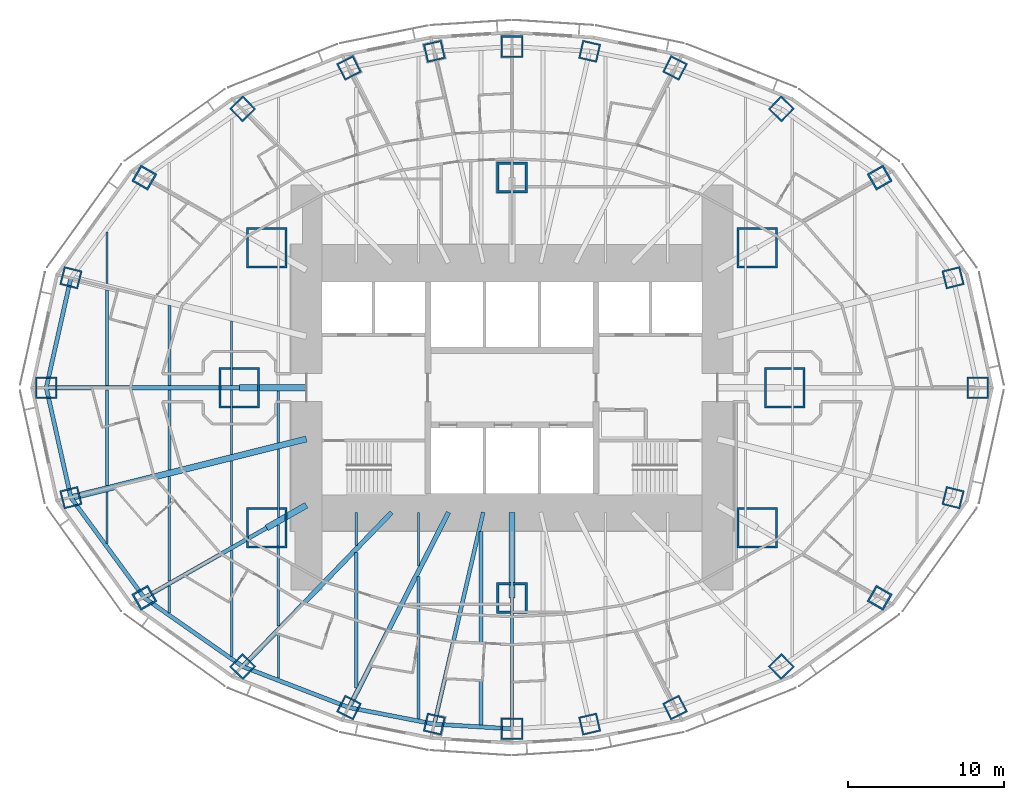
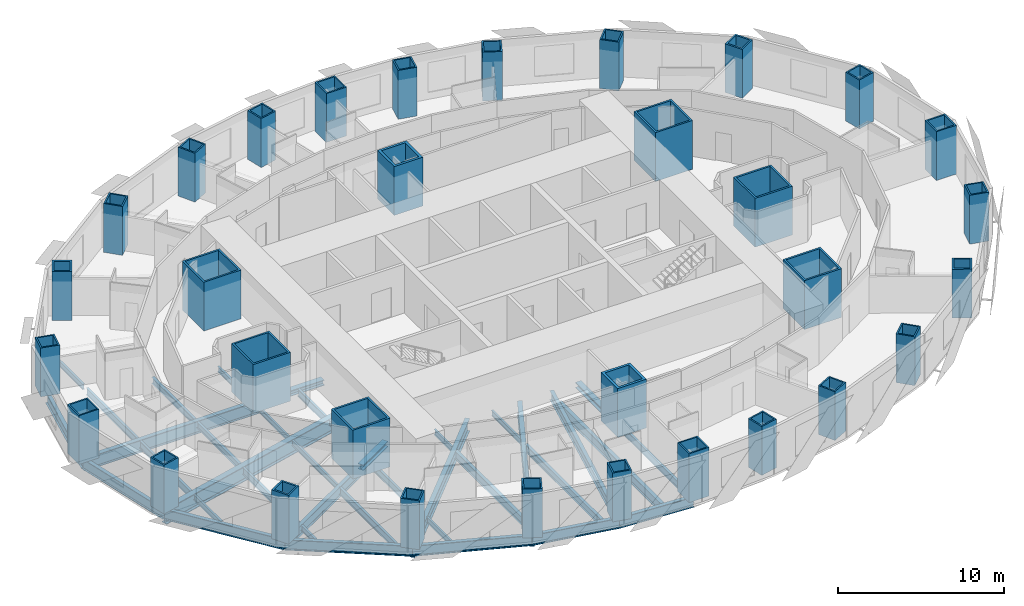
# One storey, part 1 of 15: 38 beams, 32 columns.
"""IFC4 building model written with IfcOpenShell, lengths in metres."""

from ifc_helpers import new_model, si_unit, direction, frame, origin, origin_2d, place, context, subcontext, project, spatial, rectangle, hollow_rectangle, i_section, extrude, material, material_profile, profile_set, type_object, element, save


model = new_model("IFC4")

# Units and contexts
model_context = context("Model", 3, precision=1e-05, world=origin(), true_north=direction((0.0, 1.0)))
body_context = subcontext(model_context, "Body", "Model", "MODEL_VIEW")
ifc_project = project(units=[si_unit("LENGTHUNIT", "METRE"), si_unit("AREAUNIT", "SQUARE_METRE"), si_unit("VOLUMEUNIT", "CUBIC_METRE"), si_unit("PLANEANGLEUNIT", "RADIAN"), si_unit("MASSUNIT", "GRAM", prefix="KILO")], contexts=[model_context])

# Site, building, storey
site_placement = place(None, origin())
site = spatial("IfcSite", under=ifc_project, at=site_placement, CompositionType="ELEMENT")
building_placement = place(site_placement, origin())
building = spatial("IfcBuilding", under=site, at=building_placement, Name="Lantaw Convention Tower", CompositionType="ELEMENT")
storey_placement = place(building_placement, frame((0.0, 0.0, 58.60009765625)))
storey = spatial("IfcBuildingStorey", under=building, at=storey_placement, Name="L12", CompositionType="ELEMENT", Elevation=58.60009765625)

# Columns
ifc_material_1 = material(Name="Steel EN 10025-3 S460N", Category="steel")
ifc_material_profile_1 = material_profile(ifc_material_1, hollow_rectangle(XDim=2.0, YDim=2.0, WallThickness=0.169921875, at=origin_2d()), Name="BOX2000X170")
ifc_material_2 = material(Name="Concrete C60/75", Category="concrete")
ifc_material_profile_2 = material_profile(ifc_material_2, rectangle(XDim=1.659912109375, YDim=1.659912109375, at=origin_2d()), Name="Concrete fill of BOX2000X170")
ifc_profile_set_1 = profile_set([ifc_material_profile_1, ifc_material_profile_2], Name="Steel EN 10025-3 S460N")
column_type_1 = type_object("IfcColumnType", Name="Column MC BOX2000X170", PredefinedType="COLUMN", material=ifc_profile_set_1)
for number, where, z_axis, x_axis, name in (
    (1, (0.0, 13.5, 0.0), (0.0, 0.0, 1.0), (1.0, 0.0, 0.0), "Mega column M3"),
    (2, (0.0, -13.5, 0.0), (0.0, 0.0, 1.0), (1.0, 0.0, 0.0), "Mega column M7"),
):
    element("IfcColumn", number, at=place(storey_placement, frame(where, z_axis=z_axis, x_axis=x_axis)), inside=storey, type_object=column_type_1, Name=name, PredefinedType="COLUMN", context=body_context, shape_type="SweptSolid", body=[
        extrude(hollow_rectangle(XDim=2.0, YDim=2.0, WallThickness=0.169921875, at=origin_2d()), origin(), (0.0, 0.0, 1.0), 3.599853515625),
    ])
ifc_material_profile_3 = material_profile(ifc_material_1, hollow_rectangle(XDim=2.60009765625, YDim=2.60009765625, WallThickness=0.1298828125, at=origin_2d()), Name="BOX2600X130")
ifc_material_profile_4 = material_profile(ifc_material_2, rectangle(XDim=2.340087890625, YDim=2.340087890625, at=origin_2d()), Name="Concrete fill of BOX2600X130")
ifc_profile_set_2 = profile_set([ifc_material_profile_3, ifc_material_profile_4], Name="Steel EN 10025-3 S460N")
column_type_2 = type_object("IfcColumnType", Name="Column MC BOX2600X130", PredefinedType="COLUMN", material=ifc_profile_set_2)
for number, where, z_axis, x_axis, name in (
    (3, (17.5, 0.0, 0.0), (0.0, 0.0, 1.0), (1.0, 0.0, 0.0), "Mega column M1"),
    (4, (15.75, 9.0, 0.0), (0.0, 0.0, 1.0), (1.0, 0.0, 0.0), "Mega column M2"),
    (5, (-15.75, 9.0, 0.0), (0.0, 0.0, 1.0), (1.0, 0.0, 0.0), "Mega column M4"),
    (6, (-17.5, 0.0, 0.0), (0.0, 0.0, 1.0), (1.0, 0.0, 0.0), "Mega column M5"),
    (7, (-15.75, -9.0, 0.0), (0.0, 0.0, 1.0), (1.0, 0.0, 0.0), "Mega column M6"),
    (8, (15.75, -9.0, 0.0), (0.0, 0.0, 1.0), (1.0, 0.0, 0.0), "Mega column M8"),
):
    element("IfcColumn", number, at=place(storey_placement, frame(where, z_axis=z_axis, x_axis=x_axis)), inside=storey, type_object=column_type_2, Name=name, PredefinedType="COLUMN", context=body_context, shape_type="SweptSolid", body=[
        extrude(hollow_rectangle(XDim=2.60009765625, YDim=2.60009765625, WallThickness=0.1298828125, at=origin_2d()), origin(), (0.0, 0.0, 1.0), 3.599853515625),
    ])
ifc_material_profile_5 = material_profile(ifc_material_1, hollow_rectangle(XDim=1.199951171875, YDim=1.199951171875, WallThickness=0.10009765625, at=origin_2d()), Name="BOX1200X100")
ifc_material_profile_6 = material_profile(ifc_material_2, rectangle(XDim=1.0, YDim=1.0, at=origin_2d()), Name="Concrete fill of BOX1200X100")
ifc_profile_set_3 = profile_set([ifc_material_profile_5, ifc_material_profile_6], Name="Steel EN 10025-3 S460N")
column_type_3 = type_object("IfcColumnType", Name="Column PC BOX1200X100", PredefinedType="COLUMN", material=ifc_profile_set_3)
for number, where, z_axis, x_axis, name in (
    (9, (28.31787109375, 7.060302734375, 0.0), (0.0, 0.0, 1.0), (0.970295726276, 0.2419218956, 0.0), "Perimeter column P2"),
    (10, (17.290771484375, 17.9052734375, 0.0), (0.0, 0.0, 1.0), (0.694658370459, 0.719339800339, 0.0), "Perimeter column P4"),
    (11, (10.462646484375, 20.533935546875, 0.0), (0.0, 0.0, 1.0), (0.45399049974, 0.891006524188, 0.0), "Perimeter column P5"),
    (12, (4.986328125, 21.59814453125, 0.0), (0.0, 0.0, 1.0), (0.224951054344, 0.974370064785, 0.0), "Perimeter column P6"),
    (13, (-4.986328125, 21.59814453125, 0.0), (0.0, 0.0, 1.0), (0.974370064785, 0.224951054344, 0.0), "Perimeter column P8"),
    (14, (-10.462646484375, 20.533935546875, 0.0), (0.0, 0.0, 1.0), (0.891006524188, 0.45399049974, 0.0), "Perimeter column P9"),
    (15, (-17.290771484375, 17.9052734375, 0.0), (0.0, 0.0, 1.0), (0.719339800339, 0.694658370459, 0.0), "Perimeter column P10"),
    (16, (-28.31787109375, 7.060302734375, 0.0), (0.0, 0.0, 1.0), (0.2419218956, 0.970295726276, 0.0), "Perimeter column P12"),
    (17, (-28.31787109375, -7.060302734375, 0.0), (0.0, 0.0, 1.0), (0.970295726276, 0.2419218956, 0.0), "Perimeter column P14"),
    (18, (-17.290771484375, -17.9052734375, 0.0), (0.0, 0.0, 1.0), (0.694658370459, 0.719339800339, 0.0), "Perimeter column P16"),
    (19, (-10.462646484375, -20.533935546875, 0.0), (0.0, 0.0, 1.0), (0.45399049974, 0.891006524188, 0.0), "Perimeter column P17"),
    (20, (-4.986328125, -21.59814453125, 0.0), (0.0, 0.0, 1.0), (0.224951054344, 0.974370064785, 0.0), "Perimeter column P18"),
    (21, (4.986328125, -21.59814453125, 0.0), (0.0, 0.0, 1.0), (0.974370064785, 0.224951054344, 0.0), "Perimeter column P20"),
    (22, (10.462646484375, -20.533935546875, 0.0), (0.0, 0.0, 1.0), (0.891006524188, 0.45399049974, 0.0), "Perimeter column P21"),
    (23, (17.290771484375, -17.9052734375, 0.0), (0.0, 0.0, 1.0), (0.719339800339, 0.694658370459, 0.0), "Perimeter column P22"),
    (24, (28.31787109375, -7.060302734375, 0.0), (0.0, 0.0, 1.0), (0.2419218956, 0.970295726276, 0.0), "Perimeter column P24"),
):
    element("IfcColumn", number, at=place(storey_placement, frame(where, z_axis=z_axis, x_axis=x_axis)), inside=storey, type_object=column_type_3, Name=name, PredefinedType="COLUMN", context=body_context, shape_type="SweptSolid", body=[
        extrude(hollow_rectangle(XDim=1.199951171875, YDim=1.199951171875, WallThickness=0.10009765625, at=origin_2d()), origin(), (0.0, 0.0, 1.0), 3.599853515625),
    ])
ifc_material_profile_7 = material_profile(ifc_material_1, hollow_rectangle(XDim=1.199951171875, YDim=1.199951171875, WallThickness=0.1201171875, at=origin_2d()), Name="BOX1200X120")
ifc_material_profile_8 = material_profile(ifc_material_2, rectangle(XDim=0.9599609375, YDim=0.9599609375, at=origin_2d()), Name="Concrete fill of BOX1200X120")
ifc_profile_set_4 = profile_set([ifc_material_profile_7, ifc_material_profile_8], Name="Steel EN 10025-3 S460N")
column_type_4 = type_object("IfcColumnType", Name="Column PC BOX1200X120", PredefinedType="COLUMN", material=ifc_profile_set_4)
for number, where, z_axis, x_axis, name in (
    (25, (23.60498046875, 13.488525390625, 0.0), (0.0, 0.0, 1.0), (0.86824298017, 0.496139221777, 0.0), "Perimeter column P3"),
    (26, (-23.60498046875, 13.488525390625, 0.0), (0.0, 0.0, 1.0), (0.496139221777, 0.86824298017, 0.0), "Perimeter column P11"),
    (27, (-23.60498046875, -13.488525390625, 0.0), (0.0, 0.0, 1.0), (0.86824298017, 0.496139221777, 0.0), "Perimeter column P15"),
    (28, (23.60498046875, -13.488525390625, 0.0), (0.0, 0.0, 1.0), (0.496139221777, 0.86824298017, 0.0), "Perimeter column P23"),
):
    element("IfcColumn", number, at=place(storey_placement, frame(where, z_axis=z_axis, x_axis=x_axis)), inside=storey, type_object=column_type_4, Name=name, PredefinedType="COLUMN", context=body_context, shape_type="SweptSolid", body=[
        extrude(hollow_rectangle(XDim=1.199951171875, YDim=1.199951171875, WallThickness=0.1201171875, at=origin_2d()), origin(), (0.0, 0.0, 1.0), 3.599853515625),
    ])
ifc_material_profile_9 = material_profile(ifc_material_1, hollow_rectangle(XDim=1.39990234375, YDim=1.39990234375, WallThickness=0.10009765625, at=origin_2d()), Name="BOX1400X100")
ifc_material_profile_10 = material_profile(ifc_material_2, rectangle(XDim=1.199951171875, YDim=1.199951171875, at=origin_2d()), Name="Concrete fill of BOX1400X100")
ifc_profile_set_5 = profile_set([ifc_material_profile_9, ifc_material_profile_10], Name="Steel EN 10025-3 S460N")
column_type_5 = type_object("IfcColumnType", Name="Column PC BOX1400X100", PredefinedType="COLUMN", material=ifc_profile_set_5)
for number, where, z_axis, x_axis, name in (
    (29, (29.89990234375, 0.0, 0.0), (0.0, 0.0, 1.0), (1.0, 0.0, 0.0), "Perimeter column P1"),
    (30, (0.0, 21.89990234375, 0.0), (0.0, 0.0, 1.0), (1.0, 0.0, 0.0), "Perimeter column P7"),
    (31, (-29.89990234375, 0.0, 0.0), (0.0, 0.0, 1.0), (1.0, 0.0, 0.0), "Perimeter column P13"),
    (32, (0.0, -21.89990234375, 0.0), (0.0, 0.0, 1.0), (1.0, 0.0, 0.0), "Perimeter column P19"),
):
    element("IfcColumn", number, at=place(storey_placement, frame(where, z_axis=z_axis, x_axis=x_axis)), inside=storey, type_object=column_type_5, Name=name, PredefinedType="COLUMN", context=body_context, shape_type="SweptSolid", body=[
        extrude(hollow_rectangle(XDim=1.39990234375, YDim=1.39990234375, WallThickness=0.10009765625, at=origin_2d()), origin(), (0.0, 0.0, 1.0), 3.599853515625),
    ])

# Beams
ifc_material_3 = material(Name="Steel ASTM A992", Category="steel")
ifc_material_profile_11 = material_profile(ifc_material_3, i_section(OverallWidth=0.2666015625, OverallDepth=0.76953125, WebThickness=0.015625, FlangeThickness=0.025390625, FilletRadius=0.0126953125, at=origin_2d()), Name="W30X132")
ifc_profile_set_6 = profile_set([ifc_material_profile_11], Name="Steel ASTM A992")
beam_type_1 = type_object("IfcBeamType", Name="Beam E W30X132", PredefinedType="SPANDREL", material=ifc_profile_set_6)
for number, where, z_axis, x_axis, name in (
    (33, (-28.31787109375, 7.060302734375, -0.534912109375), (-0.218652184873, -0.975802860239, 0.0), (0.975802860239, -0.218652184873, 0.0), "Edge beam 12"),
    (34, (-29.89990234375, 0.0, -0.534912109375), (0.218652184873, -0.975802860239, 0.0), (0.975802860239, 0.218652184873, 0.0), "Edge beam 13"),
):
    element("IfcBeam", number, at=place(storey_placement, frame(where, z_axis=z_axis, x_axis=x_axis)), inside=storey, type_object=beam_type_1, Name=name, PredefinedType="SPANDREL", context=body_context, shape_type="SweptSolid", body=[
        extrude(i_section(OverallWidth=0.2666015625, OverallDepth=0.76953125, WebThickness=0.015625, FlangeThickness=0.025390625, FilletRadius=0.0126953125, at=origin_2d()), origin(), (0.0, 0.0, 1.0), 7.2353515625),
    ])
beam_1_placement = place(storey_placement, frame((-28.31787109375, -7.060302734375, -0.534912109375), z_axis=(0.591270709086, -0.806473154281, 0.0), x_axis=(0.806473154281, 0.591270709086, 0.0)))
element("IfcBeam", 35, at=beam_1_placement, inside=storey, type_object=beam_type_1, Name="Edge beam 14", PredefinedType="SPANDREL", context=body_context, shape_type="SweptSolid", body=[
    extrude(i_section(OverallWidth=0.2666015625, OverallDepth=0.76953125, WebThickness=0.015625, FlangeThickness=0.025390625, FilletRadius=0.0126953125, at=origin_2d()), origin(), (0.0, 0.0, 1.0), 7.970703125),
])
beam_2_placement = place(storey_placement, frame((-23.60498046875, -13.488525390625, -0.534912109375), z_axis=(0.81942686407, -0.57318375277, 0.0), x_axis=(0.57318375277, 0.81942686407, 0.0)))
element("IfcBeam", 36, at=beam_2_placement, inside=storey, type_object=beam_type_1, Name="Edge beam 15", PredefinedType="SPANDREL", context=body_context, shape_type="SweptSolid", body=[
    extrude(i_section(OverallWidth=0.2666015625, OverallDepth=0.76953125, WebThickness=0.015625, FlangeThickness=0.025390625, FilletRadius=0.0126953125, at=origin_2d()), origin(), (0.0, 0.0, 1.0), 7.70556640625),
])
beam_3_placement = place(storey_placement, frame((-17.290771484375, -17.9052734375, -0.534912109375), z_axis=(0.933232900641, -0.359271976588, 0.0), x_axis=(0.359271976588, 0.933232900641, 0.0)))
element("IfcBeam", 37, at=beam_3_placement, inside=storey, type_object=beam_type_1, Name="Edge beam 16", PredefinedType="SPANDREL", context=body_context, shape_type="SweptSolid", body=[
    extrude(i_section(OverallWidth=0.2666015625, OverallDepth=0.76953125, WebThickness=0.015625, FlangeThickness=0.025390625, FilletRadius=0.0126953125, at=origin_2d()), origin(), (0.0, 0.0, 1.0), 7.316650390625),
])
beam_4_placement = place(storey_placement, frame((-10.462646484375, -20.533935546875, -0.534912109375), z_axis=(0.981636565323, -0.190760723474, 0.0), x_axis=(0.190760723474, 0.981636565323, 0.0)))
element("IfcBeam", 38, at=beam_4_placement, inside=storey, type_object=beam_type_1, Name="Edge beam 17", PredefinedType="SPANDREL", context=body_context, shape_type="SweptSolid", body=[
    extrude(i_section(OverallWidth=0.2666015625, OverallDepth=0.76953125, WebThickness=0.015625, FlangeThickness=0.025390625, FilletRadius=0.0126953125, at=origin_2d()), origin(), (0.0, 0.0, 1.0), 5.578857421875),
])
beam_5_placement = place(storey_placement, frame((-4.986328125, -21.59814453125, -0.534912109375), z_axis=(0.998173858406, -0.060406526096, 0.0), x_axis=(0.060406526096, 0.998173858406, 0.0)))
element("IfcBeam", 39, at=beam_5_placement, inside=storey, type_object=beam_type_1, Name="Edge beam 18", PredefinedType="SPANDREL", context=body_context, shape_type="SweptSolid", body=[
    extrude(i_section(OverallWidth=0.2666015625, OverallDepth=0.76953125, WebThickness=0.015625, FlangeThickness=0.025390625, FilletRadius=0.0126953125, at=origin_2d()), origin(), (0.0, 0.0, 1.0), 4.995361328125),
])
ifc_material_profile_12 = material_profile(ifc_material_3, i_section(OverallWidth=0.1650390625, OverallDepth=0.52587890625, WebThickness=0.0087890625, FlangeThickness=0.011474609375, FilletRadius=0.0126953125, at=origin_2d()), Name="W21X44")
ifc_profile_set_7 = profile_set([ifc_material_profile_12], Name="Steel ASTM A992")
beam_type_2 = type_object("IfcBeamType", Name="Beam G W21X44", PredefinedType="BEAM", material=ifc_profile_set_7)
beam_6_placement = place(storey_placement, frame((0.0, -13.5, -0.4130859375), z_axis=(0.0, -1.0, 0.0), x_axis=(1.0, 0.0, 0.0)))
element("IfcBeam", 40, at=beam_6_placement, inside=storey, type_object=beam_type_2, Name="Floor girder on ray 19", PredefinedType="BEAM", context=body_context, shape_type="SweptSolid", body=[
    extrude(i_section(OverallWidth=0.1650390625, OverallDepth=0.52587890625, WebThickness=0.0087890625, FlangeThickness=0.011474609375, FilletRadius=0.0126953125, at=origin_2d()), origin(), (0.0, 0.0, 1.0), 8.39990234375),
])
ifc_material_profile_13 = material_profile(ifc_material_3, i_section(OverallWidth=0.25390625, OverallDepth=0.683349609375, WebThickness=0.012451171875, FlangeThickness=0.01904296875, FilletRadius=0.01513671875, at=origin_2d()), Name="W27X94")
ifc_profile_set_8 = profile_set([ifc_material_profile_13], Name="Steel ASTM A992")
beam_type_3 = type_object("IfcBeamType", Name="Beam G W27X94", PredefinedType="BEAM", material=ifc_profile_set_8)
beam_7_placement = place(storey_placement, frame((-1.846923828125, -8.0, -0.49169921875), z_axis=(-0.224952773175, -0.97436966796, 0.0), x_axis=(0.97436966796, -0.224952773175, 0.0)))
element("IfcBeam", 41, at=beam_7_placement, inside=storey, type_object=beam_type_3, Name="Floor girder on ray 18", PredefinedType="BEAM", context=body_context, shape_type="SweptSolid", body=[
    extrude(i_section(OverallWidth=0.25390625, OverallDepth=0.683349609375, WebThickness=0.012451171875, FlangeThickness=0.01904296875, FilletRadius=0.01513671875, at=origin_2d()), origin(), (0.0, 0.0, 1.0), 13.955810546875),
])
ifc_material_profile_14 = material_profile(ifc_material_3, i_section(OverallWidth=0.2666015625, OverallDepth=0.7568359375, WebThickness=0.013916015625, FlangeThickness=0.019287109375, FilletRadius=0.0126953125, at=origin_2d()), Name="W30X108")
ifc_profile_set_9 = profile_set([ifc_material_profile_14], Name="Steel ASTM A992")
beam_type_4 = type_object("IfcBeamType", Name="Beam G W30X108", PredefinedType="BEAM", material=ifc_profile_set_9)
beam_8_placement = place(storey_placement, frame((-15.75, -9.0, -0.528564453125), z_axis=(-0.868244802791, -0.496136032179, 0.0), x_axis=(0.496136032179, -0.868244802791, 0.0)))
element("IfcBeam", 42, at=beam_8_placement, inside=storey, type_object=beam_type_4, Name="Floor girder on ray 15", PredefinedType="BEAM", context=body_context, shape_type="SweptSolid", body=[
    extrude(i_section(OverallWidth=0.2666015625, OverallDepth=0.7568359375, WebThickness=0.013916015625, FlangeThickness=0.019287109375, FilletRadius=0.0126953125, at=origin_2d()), origin(), (0.0, 0.0, 1.0), 9.046875),
])
ifc_material_profile_15 = material_profile(ifc_material_3, i_section(OverallWidth=0.307373046875, OverallDepth=0.922119140625, WebThickness=0.018310546875, FlangeThickness=0.030029296875, FilletRadius=0.0126953125, at=origin_2d()), Name="W36X182")
ifc_profile_set_10 = profile_set([ifc_material_profile_15], Name="Steel ASTM A992")
beam_type_5 = type_object("IfcBeamType", Name="Beam G W36X182", PredefinedType="BEAM", material=ifc_profile_set_10)
beam_9_placement = place(storey_placement, frame((-17.5, 0.0, -0.611083984375), z_axis=(-1.0, 0.0, 0.0), x_axis=(0.0, -1.0, 0.0)))
element("IfcBeam", 43, at=beam_9_placement, inside=storey, type_object=beam_type_5, Name="Floor girder on ray 13", PredefinedType="BEAM", context=body_context, shape_type="SweptSolid", body=[
    extrude(i_section(OverallWidth=0.307373046875, OverallDepth=0.922119140625, WebThickness=0.018310546875, FlangeThickness=0.030029296875, FilletRadius=0.0126953125, at=origin_2d()), origin(), (0.0, 0.0, 1.0), 12.39990234375),
])
beam_10_placement = place(storey_placement, frame((-7.7255859375, -8.0, -0.611083984375), z_axis=(-0.694649884291, -0.719347995239, 0.0), x_axis=(0.719347995239, -0.694649884291, 0.0)))
element("IfcBeam", 44, at=beam_10_placement, inside=storey, type_object=beam_type_5, Name="Floor girder on ray 16", PredefinedType="BEAM", context=body_context, shape_type="SweptSolid", body=[
    extrude(i_section(OverallWidth=0.307373046875, OverallDepth=0.922119140625, WebThickness=0.018310546875, FlangeThickness=0.030029296875, FilletRadius=0.0126953125, at=origin_2d()), origin(), (0.0, 0.0, 1.0), 13.769775390625),
])
beam_11_placement = place(storey_placement, frame((-4.076171875, -8.0, -0.611083984375), z_axis=(-0.453997016122, -0.891003203896, 0.0), x_axis=(0.891003203896, -0.453997016122, 0.0)))
element("IfcBeam", 45, at=beam_11_placement, inside=storey, type_object=beam_type_5, Name="Floor girder on ray 17", PredefinedType="BEAM", context=body_context, shape_type="SweptSolid", body=[
    extrude(i_section(OverallWidth=0.307373046875, OverallDepth=0.922119140625, WebThickness=0.018310546875, FlangeThickness=0.030029296875, FilletRadius=0.0126953125, at=origin_2d()), origin(), (0.0, 0.0, 1.0), 14.067138671875),
])
ifc_material_profile_16 = material_profile(ifc_material_3, i_section(OverallWidth=0.40380859375, OverallDepth=1.11767578125, WebThickness=0.026123046875, FlangeThickness=0.044921875, FilletRadius=0.02001953125, at=origin_2d()), Name="W44X335")
ifc_profile_set_11 = profile_set([ifc_material_profile_16], Name="Steel ASTM A992")
beam_type_6 = type_object("IfcBeamType", Name="Beam G W44X335", PredefinedType="BEAM", material=ifc_profile_set_11)
beam_12_placement = place(storey_placement, frame((-13.199951171875, -3.291015625, -0.708984375), z_axis=(-0.970296233567, -0.241919860957, 0.0), x_axis=(0.241919860957, -0.970296233567, 0.0)))
element("IfcBeam", 46, at=beam_12_placement, inside=storey, type_object=beam_type_6, Name="Floor girder on ray 14", PredefinedType="BEAM", context=body_context, shape_type="SweptSolid", body=[
    extrude(i_section(OverallWidth=0.40380859375, OverallDepth=1.11767578125, WebThickness=0.026123046875, FlangeThickness=0.044921875, FilletRadius=0.02001953125, at=origin_2d()), origin(), (0.0, 0.0, 1.0), 15.580810546875),
])
ifc_material_profile_17 = material_profile(ifc_material_3, i_section(OverallWidth=0.40380859375, OverallDepth=0.406494140625, WebThickness=0.027099609375, FlangeThickness=0.043701171875, FilletRadius=0.01513671875, at=origin_2d()), Name="W14X233")
ifc_profile_set_12 = profile_set([ifc_material_profile_17], Name="Steel ASTM A992")
beam_type_7 = type_object("IfcBeamType", Name="Beam GM W14X233", PredefinedType="BEAM", material=ifc_profile_set_12)
beam_13_placement = place(storey_placement, frame((-13.199951171875, 0.0, -0.353271484375), z_axis=(-1.0, 0.0, 0.0), x_axis=(0.0, -1.0, 0.0)))
element("IfcBeam", 47, at=beam_13_placement, inside=storey, type_object=beam_type_7, Name="Core link beam on ray 13", PredefinedType="BEAM", context=body_context, shape_type="SweptSolid", body=[
    extrude(i_section(OverallWidth=0.40380859375, OverallDepth=0.406494140625, WebThickness=0.027099609375, FlangeThickness=0.043701171875, FilletRadius=0.01513671875, at=origin_2d()), origin(), (0.0, 0.0, 1.0), 4.300048828125),
])
beam_14_placement = place(storey_placement, frame((-13.199951171875, -7.54296875, -0.353271484375), z_axis=(-0.868263603466, -0.496103129295, 0.0), x_axis=(0.496103129295, -0.868263603466, 0.0)))
element("IfcBeam", 48, at=beam_14_placement, inside=storey, type_object=beam_type_7, Name="Core link beam on ray 15", PredefinedType="BEAM", context=body_context, shape_type="SweptSolid", body=[
    extrude(i_section(OverallWidth=0.40380859375, OverallDepth=0.406494140625, WebThickness=0.027099609375, FlangeThickness=0.043701171875, FilletRadius=0.01513671875, at=origin_2d()), origin(), (0.0, 0.0, 1.0), 2.93701171875),
])
beam_15_placement = place(storey_placement, frame((0.0, -8.0, -0.353271484375), z_axis=(0.0, -1.0, 0.0), x_axis=(1.0, 0.0, 0.0)))
element("IfcBeam", 49, at=beam_15_placement, inside=storey, type_object=beam_type_7, Name="Core link beam on ray 19", PredefinedType="BEAM", context=body_context, shape_type="SweptSolid", body=[
    extrude(i_section(OverallWidth=0.40380859375, OverallDepth=0.406494140625, WebThickness=0.027099609375, FlangeThickness=0.043701171875, FilletRadius=0.01513671875, at=origin_2d()), origin(), (0.0, 0.0, 1.0), 5.5),
])
ifc_material_profile_18 = material_profile(ifc_material_3, i_section(OverallWidth=0.140380859375, OverallDepth=0.40380859375, WebThickness=0.007080078125, FlangeThickness=0.01123046875, FilletRadius=0.01025390625, at=origin_2d()), Name="W16X31")
ifc_profile_set_13 = profile_set([ifc_material_profile_18], Name="Steel ASTM A992")
beam_type_8 = type_object("IfcBeamType", Name="Beam J W16X31", PredefinedType="JOIST", material=ifc_profile_set_13)
for number, where, z_axis, x_axis, name in (
    (50, (-26.0, -9.996337890625, -0.35205078125), (0.0, 1.0, 0.0), (-1.0, 0.0, 0.0), "Floor joist"),
    (51, (-26.0, 6.690673828125, -0.35205078125), (0.0, 1.0, 0.0), (-1.0, 0.0, 0.0), "Floor joist"),
):
    element("IfcBeam", number, at=place(storey_placement, frame(where, z_axis=z_axis, x_axis=x_axis)), inside=storey, type_object=beam_type_8, Name=name, PredefinedType="JOIST", context=body_context, shape_type="SweptSolid", body=[
        extrude(i_section(OverallWidth=0.140380859375, OverallDepth=0.40380859375, WebThickness=0.007080078125, FlangeThickness=0.01123046875, FilletRadius=0.01025390625, at=origin_2d()), origin(), (0.0, 0.0, 1.0), 3.3056640625),
    ])
beam_16_placement = place(storey_placement, frame((-22.0, -14.448486328125, -0.35205078125), z_axis=(0.0, 1.0, 0.0), x_axis=(-1.0, 0.0, 0.0)))
element("IfcBeam", 52, at=beam_16_placement, inside=storey, type_object=beam_type_8, Name="Floor joist", PredefinedType="JOIST", context=body_context, shape_type="SweptSolid", body=[
    extrude(i_section(OverallWidth=0.140380859375, OverallDepth=0.40380859375, WebThickness=0.007080078125, FlangeThickness=0.01123046875, FilletRadius=0.01025390625, at=origin_2d()), origin(), (0.0, 0.0, 1.0), 1.723388671875),
])
beam_17_placement = place(storey_placement, frame((-18.0, -10.132080078125, -0.35205078125), z_axis=(0.0, 1.0, 0.0), x_axis=(-1.0, 0.0, 0.0)))
element("IfcBeam", 53, at=beam_17_placement, inside=storey, type_object=beam_type_8, Name="Floor joist", PredefinedType="JOIST", context=body_context, shape_type="SweptSolid", body=[
    extrude(i_section(OverallWidth=0.140380859375, OverallDepth=0.40380859375, WebThickness=0.007080078125, FlangeThickness=0.01123046875, FilletRadius=0.01025390625, at=origin_2d()), origin(), (0.0, 0.0, 1.0), 5.43603515625),
])
for number, where, z_axis, x_axis, name in (
    (54, (-18.0, -4.27978515625, -0.35205078125), (0.0, 1.0, 0.0), (-1.0, 0.0, 0.0), "Floor joist"),
    (55, (-18.0, 0.153564453125, -0.35205078125), (0.0, 1.0, 0.0), (-1.0, 0.0, 0.0), "Floor joist"),
):
    element("IfcBeam", number, at=place(storey_placement, frame(where, z_axis=z_axis, x_axis=x_axis)), inside=storey, type_object=beam_type_8, Name=name, PredefinedType="JOIST", context=body_context, shape_type="SweptSolid", body=[
        extrude(i_section(OverallWidth=0.140380859375, OverallDepth=0.40380859375, WebThickness=0.007080078125, FlangeThickness=0.01123046875, FilletRadius=0.01025390625, at=origin_2d()), origin(), (0.0, 0.0, 1.0), 4.126220703125),
    ])
beam_18_placement = place(storey_placement, frame((-15.0, -18.644287109375, -0.35205078125), z_axis=(0.0, 1.0, 0.0), x_axis=(-1.0, 0.0, 0.0)))
element("IfcBeam", 56, at=beam_18_placement, inside=storey, type_object=beam_type_8, Name="Floor joist", PredefinedType="JOIST", context=body_context, shape_type="SweptSolid", body=[
    extrude(i_section(OverallWidth=0.140380859375, OverallDepth=0.40380859375, WebThickness=0.007080078125, FlangeThickness=0.01123046875, FilletRadius=0.01025390625, at=origin_2d()), origin(), (0.0, 0.0, 1.0), 2.89013671875),
])
beam_19_placement = place(storey_placement, frame((-15.0, -8.3388671875, -0.35205078125), z_axis=(0.0, 1.0, 0.0), x_axis=(-1.0, 0.0, 0.0)))
element("IfcBeam", 57, at=beam_19_placement, inside=storey, type_object=beam_type_8, Name="Floor joist", PredefinedType="JOIST", context=body_context, shape_type="SweptSolid", body=[
    extrude(i_section(OverallWidth=0.140380859375, OverallDepth=0.40380859375, WebThickness=0.007080078125, FlangeThickness=0.01123046875, FilletRadius=0.01025390625, at=origin_2d()), origin(), (0.0, 0.0, 1.0), 4.390869140625),
])
beam_20_placement = place(storey_placement, frame((-10.0, -10.134033203125, -0.35205078125), z_axis=(0.0, 1.0, 0.0), x_axis=(-1.0, 0.0, 0.0)))
element("IfcBeam", 58, at=beam_20_placement, inside=storey, type_object=beam_type_8, Name="Floor joist", PredefinedType="JOIST", context=body_context, shape_type="SweptSolid", body=[
    extrude(i_section(OverallWidth=0.140380859375, OverallDepth=0.40380859375, WebThickness=0.007080078125, FlangeThickness=0.01123046875, FilletRadius=0.01025390625, at=origin_2d()), origin(), (0.0, 0.0, 1.0), 2.134033203125),
])
beam_21_placement = place(storey_placement, frame((-6.0, -11.437255859375, -0.35205078125), z_axis=(0.0, 1.0, 0.0), x_axis=(-1.0, 0.0, 0.0)))
element("IfcBeam", 59, at=beam_21_placement, inside=storey, type_object=beam_type_8, Name="Floor joist", PredefinedType="JOIST", context=body_context, shape_type="SweptSolid", body=[
    extrude(i_section(OverallWidth=0.140380859375, OverallDepth=0.40380859375, WebThickness=0.007080078125, FlangeThickness=0.01123046875, FilletRadius=0.01025390625, at=origin_2d()), origin(), (0.0, 0.0, 1.0), 3.437255859375),
])
ifc_material_profile_19 = material_profile(ifc_material_3, i_section(OverallWidth=0.1904296875, OverallDepth=0.457275390625, WebThickness=0.009033203125, FlangeThickness=0.014404296875, FilletRadius=0.01025390625, at=origin_2d()), Name="W18X50")
ifc_profile_set_14 = profile_set([ifc_material_profile_19], Name="Steel ASTM A992")
beam_type_9 = type_object("IfcBeamType", Name="Beam J W18X50", PredefinedType="JOIST", material=ifc_profile_set_14)
for number, where, z_axis, x_axis, name in (
    (60, (-22.0, -5.277099609375, -0.378662109375), (0.0, 1.0, 0.0), (-1.0, 0.0, 0.0), "Floor joist"),
    (61, (-22.0, 0.153564453125, -0.378662109375), (0.0, 1.0, 0.0), (-1.0, 0.0, 0.0), "Floor joist"),
):
    element("IfcBeam", number, at=place(storey_placement, frame(where, z_axis=z_axis, x_axis=x_axis)), inside=storey, type_object=beam_type_9, Name=name, PredefinedType="JOIST", context=body_context, shape_type="SweptSolid", body=[
        extrude(i_section(OverallWidth=0.1904296875, OverallDepth=0.457275390625, WebThickness=0.009033203125, FlangeThickness=0.014404296875, FilletRadius=0.01025390625, at=origin_2d()), origin(), (0.0, 0.0, 1.0), 5.12353515625),
    ])
ifc_material_profile_20 = material_profile(ifc_material_3, i_section(OverallWidth=0.1650390625, OverallDepth=0.52587890625, WebThickness=0.0087890625, FlangeThickness=0.011474609375, FilletRadius=0.0126953125, at=origin_2d()), Name="W21X44")
ifc_profile_set_15 = profile_set([ifc_material_profile_20], Name="Steel ASTM A992")
beam_type_10 = type_object("IfcBeamType", Name="Beam J W21X44", PredefinedType="JOIST", material=ifc_profile_set_15)
beam_22_placement = place(storey_placement, frame((-22.0, -12.41796875, -0.4130859375), z_axis=(0.0, 1.0, 0.0), x_axis=(-1.0, 0.0, 0.0)))
element("IfcBeam", 62, at=beam_22_placement, inside=storey, type_object=beam_type_10, Name="Floor joist", PredefinedType="JOIST", context=body_context, shape_type="SweptSolid", body=[
    extrude(i_section(OverallWidth=0.1650390625, OverallDepth=0.52587890625, WebThickness=0.0087890625, FlangeThickness=0.011474609375, FilletRadius=0.0126953125, at=origin_2d()), origin(), (0.0, 0.0, 1.0), 6.724609375),
])
beam_23_placement = place(storey_placement, frame((-18.0, -17.246337890625, -0.4130859375), z_axis=(0.0, 1.0, 0.0), x_axis=(-1.0, 0.0, 0.0)))
element("IfcBeam", 63, at=beam_23_placement, inside=storey, type_object=beam_type_10, Name="Floor joist", PredefinedType="JOIST", context=body_context, shape_type="SweptSolid", body=[
    extrude(i_section(OverallWidth=0.1650390625, OverallDepth=0.52587890625, WebThickness=0.0087890625, FlangeThickness=0.011474609375, FilletRadius=0.0126953125, at=origin_2d()), origin(), (0.0, 0.0, 1.0), 6.80712890625),
])
beam_24_placement = place(storey_placement, frame((-15.0, -15.311767578125, -0.4130859375), z_axis=(0.0, 1.0, 0.0), x_axis=(-1.0, 0.0, 0.0)))
element("IfcBeam", 64, at=beam_24_placement, inside=storey, type_object=beam_type_10, Name="Floor joist", PredefinedType="JOIST", context=body_context, shape_type="SweptSolid", body=[
    extrude(i_section(OverallWidth=0.1650390625, OverallDepth=0.52587890625, WebThickness=0.0087890625, FlangeThickness=0.011474609375, FilletRadius=0.0126953125, at=origin_2d()), origin(), (0.0, 0.0, 1.0), 6.5078125),
])
ifc_material_profile_21 = material_profile(ifc_material_3, i_section(OverallWidth=0.165771484375, OverallDepth=0.5283203125, WebThickness=0.009765625, FlangeThickness=0.013671875, FilletRadius=0.012939453125, at=origin_2d()), Name="W21X50")
ifc_profile_set_16 = profile_set([ifc_material_profile_21], Name="Steel ASTM A992")
beam_type_11 = type_object("IfcBeamType", Name="Beam J W21X50", PredefinedType="JOIST", material=ifc_profile_set_16)
for number, where, z_axis, x_axis, name in (
    (65, (-26.0, -6.2744140625, -0.414306640625), (0.0, 1.0, 0.0), (-1.0, 0.0, 0.0), "Floor joist"),
    (66, (-26.0, 0.153564453125, -0.414306640625), (0.0, 1.0, 0.0), (-1.0, 0.0, 0.0), "Floor joist"),
):
    element("IfcBeam", number, at=place(storey_placement, frame(where, z_axis=z_axis, x_axis=x_axis)), inside=storey, type_object=beam_type_11, Name=name, PredefinedType="JOIST", context=body_context, shape_type="SweptSolid", body=[
        extrude(i_section(OverallWidth=0.165771484375, OverallDepth=0.5283203125, WebThickness=0.009765625, FlangeThickness=0.013671875, FilletRadius=0.012939453125, at=origin_2d()), origin(), (0.0, 0.0, 1.0), 6.120849609375),
    ])
beam_25_placement = place(storey_placement, frame((-15.0, -3.53173828125, -0.414306640625), z_axis=(0.0, 1.0, 0.0), x_axis=(-1.0, 0.0, 0.0)))
element("IfcBeam", 67, at=beam_25_placement, inside=storey, type_object=beam_type_11, Name="Floor joist", PredefinedType="JOIST", context=body_context, shape_type="SweptSolid", body=[
    extrude(i_section(OverallWidth=0.165771484375, OverallDepth=0.5283203125, WebThickness=0.009765625, FlangeThickness=0.013671875, FilletRadius=0.012939453125, at=origin_2d()), origin(), (0.0, 0.0, 1.0), 3.329833984375),
])
ifc_material_profile_22 = material_profile(ifc_material_3, i_section(OverallWidth=0.2099609375, OverallDepth=0.535888671875, WebThickness=0.010986328125, FlangeThickness=0.017333984375, FilletRadius=0.012939453125, at=origin_2d()), Name="W21X68")
ifc_profile_set_17 = profile_set([ifc_material_profile_22], Name="Steel ASTM A992")
beam_type_12 = type_object("IfcBeamType", Name="Beam J W21X68", PredefinedType="JOIST", material=ifc_profile_set_17)
beam_26_placement = place(storey_placement, frame((-6.0, -21.26513671875, -0.41796875), z_axis=(0.0, 1.0, 0.0), x_axis=(-1.0, 0.0, 0.0)))
element("IfcBeam", 68, at=beam_26_placement, inside=storey, type_object=beam_type_12, Name="Floor joist", PredefinedType="JOIST", context=body_context, shape_type="SweptSolid", body=[
    extrude(i_section(OverallWidth=0.2099609375, OverallDepth=0.535888671875, WebThickness=0.010986328125, FlangeThickness=0.017333984375, FilletRadius=0.012939453125, at=origin_2d()), origin(), (0.0, 0.0, 1.0), 9.15087890625),
])
ifc_material_profile_23 = material_profile(ifc_material_3, i_section(OverallWidth=0.227783203125, OverallDepth=0.60205078125, WebThickness=0.010498046875, FlangeThickness=0.014892578125, FilletRadius=0.012939453125, at=origin_2d()), Name="W24X68")
ifc_profile_set_18 = profile_set([ifc_material_profile_23], Name="Steel ASTM A992")
beam_type_13 = type_object("IfcBeamType", Name="Beam J W24X68", PredefinedType="JOIST", material=ifc_profile_set_18)
beam_27_placement = place(storey_placement, frame((-10.0, -19.28759765625, -0.451171875), z_axis=(0.0, 1.0, 0.0), x_axis=(-1.0, 0.0, 0.0)))
element("IfcBeam", 69, at=beam_27_placement, inside=storey, type_object=beam_type_13, Name="Floor joist", PredefinedType="JOIST", context=body_context, shape_type="SweptSolid", body=[
    extrude(i_section(OverallWidth=0.227783203125, OverallDepth=0.60205078125, WebThickness=0.010498046875, FlangeThickness=0.014892578125, FilletRadius=0.012939453125, at=origin_2d()), origin(), (0.0, 0.0, 1.0), 8.711181640625),
])
ifc_material_profile_24 = material_profile(ifc_material_3, i_section(OverallWidth=0.25390625, OverallDepth=0.700927734375, WebThickness=0.015380859375, FlangeThickness=0.02783203125, FilletRadius=0.01513671875, at=origin_2d()), Name="W27X129")
ifc_profile_set_19 = profile_set([ifc_material_profile_24], Name="Steel ASTM A992")
beam_type_14 = type_object("IfcBeamType", Name="Beam J W27X129", PredefinedType="JOIST", material=ifc_profile_set_19)
beam_28_placement = place(storey_placement, frame((-2.0, -21.645263671875, -0.500732421875), z_axis=(0.0, 1.0, 0.0), x_axis=(-1.0, 0.0, 0.0)))
element("IfcBeam", 70, at=beam_28_placement, inside=storey, type_object=beam_type_14, Name="Floor joist", PredefinedType="JOIST", context=body_context, shape_type="SweptSolid", body=[
    extrude(i_section(OverallWidth=0.25390625, OverallDepth=0.700927734375, WebThickness=0.015380859375, FlangeThickness=0.02783203125, FilletRadius=0.01513671875, at=origin_2d()), origin(), (0.0, 0.0, 1.0), 12.417724609375),
])

save(model, "model.ifc")
